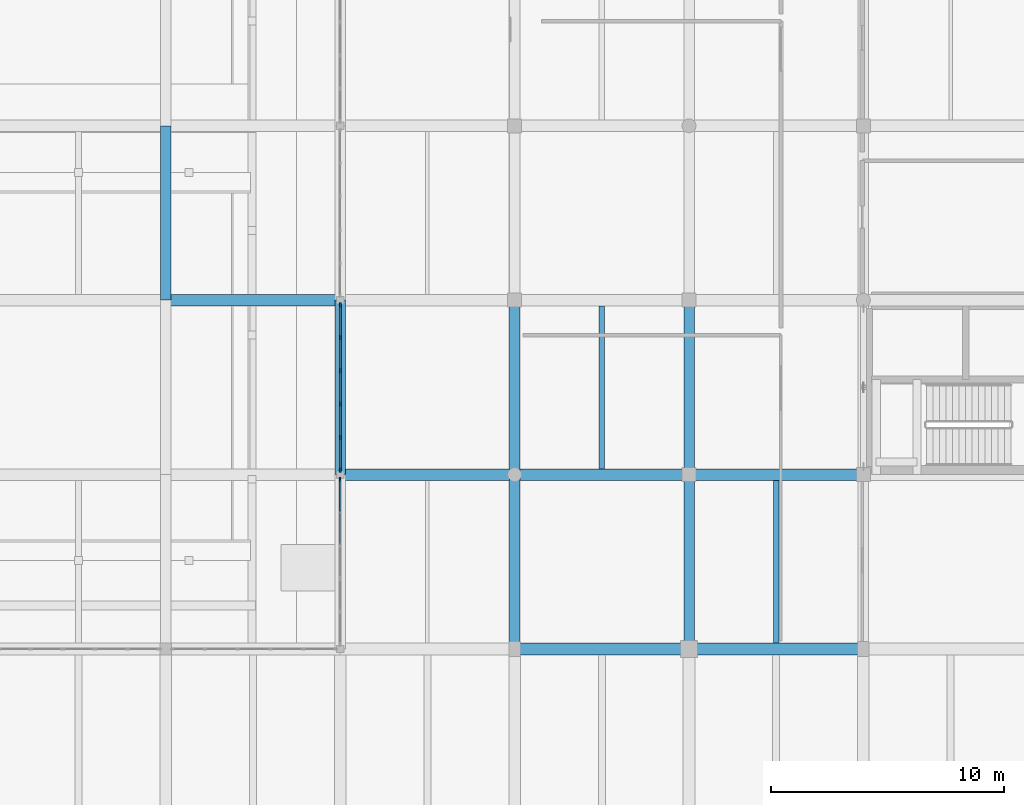
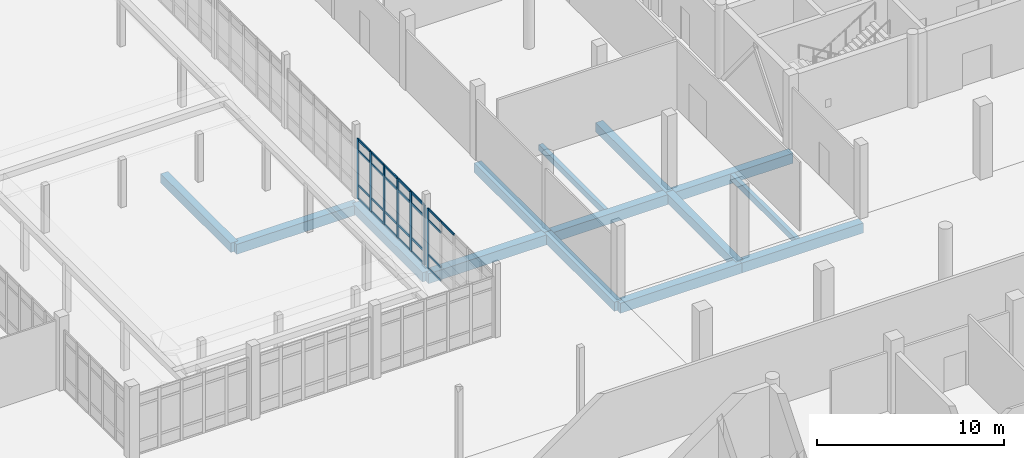
# One storey, part 58 of 125: 32 members, 14 beams, 2 elements without a shape of their own.
"""IFC4 building model written with IfcOpenShell, lengths in metres."""

from ifc_helpers import new_model, si_unit, direction, frame, origin, origin_2d, place, context, subcontext, project, spatial, rectangle, extrude, material, layer, layer_set, material_profile, profile_set, type_object, element, aggregate, save


model = new_model("IFC4")

# Units and contexts
model_context = context("Model", 3, precision=1e-05, world=origin(), true_north=direction((0.0, 1.0)))
body_context = subcontext(model_context, "Body", "Model", "MODEL_VIEW")
ifc_project = project(units=[si_unit("LENGTHUNIT", "METRE"), si_unit("AREAUNIT", "SQUARE_METRE"), si_unit("VOLUMEUNIT", "CUBIC_METRE"), si_unit("PLANEANGLEUNIT", "RADIAN"), si_unit("MASSUNIT", "GRAM", prefix="KILO")], contexts=[model_context])

# Site, building, storey
site_placement = place(None, origin())
site = spatial("IfcSite", under=ifc_project, at=site_placement, CompositionType="ELEMENT")
building_placement = place(site_placement, origin())
building = spatial("IfcBuilding", under=site, at=building_placement, Name="Dalvernix Boulevard General Hospital", CompositionType="ELEMENT")
storey_placement = place(building_placement, origin())
storey = spatial("IfcBuildingStorey", under=building, at=storey_placement, Name="L00", CompositionType="ELEMENT", Elevation=0.0)

# Beams
ifc_material_1 = material(Name="Concrete C35/45", Category="concrete")
ifc_material_profile_1 = material_profile(ifc_material_1, rectangle(XDim=0.5, YDim=0.64990234375, at=origin_2d()), Name="RCB 500x650")
ifc_profile_set_1 = profile_set([ifc_material_profile_1], Name="Concrete C35/45")
beam_type_1 = type_object("IfcBeamType", Name="BM-B-02-I", PredefinedType="BEAM", material=ifc_profile_set_1)
for number, where, z_axis, x_axis, name in (
    (1, (142.5, 31.5, -0.68505859375), (1.0, 0.0, 0.0), (0.0, 1.0, 0.0), "L00 E-W girder E:20-21"),
    (2, (150.0, 31.5, -0.68505859375), (1.0, 0.0, 0.0), (0.0, 1.0, 0.0), "L00 E-W girder E:21-22"),
    (3, (135.0, 39.0, -0.68505859375), (1.0, 0.0, 0.0), (0.0, 1.0, 0.0), "L00 E-W girder F:19-20"),
    (4, (142.5, 39.0, -0.68505859375), (1.0, 0.0, 0.0), (0.0, 1.0, 0.0), "L00 E-W girder F:20-21"),
    (5, (150.0, 39.0, -0.68505859375), (1.0, 0.0, 0.0), (0.0, 1.0, 0.0), "L00 E-W girder F:21-22"),
    (6, (127.5, 46.5, -0.68505859375), (1.0, 0.0, 0.0), (0.0, 1.0, 0.0), "L00 E-W girder G:18-19"),
):
    element("IfcBeam", number, at=place(storey_placement, frame(where, z_axis=z_axis, x_axis=x_axis)), inside=storey, type_object=beam_type_1, Name=name, PredefinedType="BEAM", context=body_context, shape_type="SweptSolid", body=[
        extrude(rectangle(XDim=0.5, YDim=0.64990234375, at=origin_2d()), origin(), (0.0, 0.0, 1.0), 7.5),
    ])
ifc_material_profile_2 = material_profile(ifc_material_1, rectangle(XDim=0.449951171875, YDim=0.60009765625, at=origin_2d()), Name="RCB 450x600")
ifc_profile_set_2 = profile_set([ifc_material_profile_2], Name="Concrete C35/45")
beam_type_2 = type_object("IfcBeamType", Name="BM-B-04-I", PredefinedType="BEAM", material=ifc_profile_set_2)
for number, where, z_axis, x_axis, name in (
    (7, (127.5, 46.5, -0.659912109375), (0.0, 1.0, 0.0), (-1.0, 0.0, 0.0), "L00 N-S girder 18:G-H"),
    (8, (135.0, 39.0, -0.659912109375), (0.0, 1.0, 0.0), (-1.0, 0.0, 0.0), "L00 N-S girder 19:F-G"),
    (9, (142.5, 31.5, -0.659912109375), (0.0, 1.0, 0.0), (-1.0, 0.0, 0.0), "L00 N-S girder 20:E-F"),
    (10, (142.5, 39.0, -0.659912109375), (0.0, 1.0, 0.0), (-1.0, 0.0, 0.0), "L00 N-S girder 20:F-G"),
    (11, (150.0, 31.5, -0.659912109375), (0.0, 1.0, 0.0), (-1.0, 0.0, 0.0), "L00 N-S girder 21:E-F"),
    (12, (150.0, 39.0, -0.659912109375), (0.0, 1.0, 0.0), (-1.0, 0.0, 0.0), "L00 N-S girder 21:F-G"),
):
    element("IfcBeam", number, at=place(storey_placement, frame(where, z_axis=z_axis, x_axis=x_axis)), inside=storey, type_object=beam_type_2, Name=name, PredefinedType="BEAM", context=body_context, shape_type="SweptSolid", body=[
        extrude(rectangle(XDim=0.449951171875, YDim=0.60009765625, at=origin_2d()), origin(), (0.0, 0.0, 1.0), 7.5),
    ])
ifc_material_profile_3 = material_profile(ifc_material_1, rectangle(XDim=0.25, YDim=0.39990234375, at=origin_2d()), Name="RCB 250x400")
ifc_profile_set_3 = profile_set([ifc_material_profile_3], Name="Concrete C35/45")
beam_type_3 = type_object("IfcBeamType", Name="BM-JB-02", PredefinedType="JOIST", material=ifc_profile_set_3)
for number, where, z_axis, x_axis, name in (
    (13, (146.25, 39.25, -0.56005859375), (0.0, 1.0, 0.0), (-1.0, 0.0, 0.0), "L00 secondary floor beam 20-F"),
    (14, (153.75, 31.75, -0.56005859375), (0.0, 1.0, 0.0), (-1.0, 0.0, 0.0), "L00 secondary floor beam 21-E"),
):
    element("IfcBeam", number, at=place(storey_placement, frame(where, z_axis=z_axis, x_axis=x_axis)), inside=storey, type_object=beam_type_3, Name=name, PredefinedType="JOIST", context=body_context, shape_type="SweptSolid", body=[
        extrude(rectangle(XDim=0.25, YDim=0.39990234375, at=origin_2d()), origin(), (0.0, 0.0, 1.0), 7.0),
    ])

# Curtain wall, member
ifc_material_2 = material(Name="Thermally broken aluminium and solar-control glass curtain wall", Category="aluminium")
ifc_layer_1 = layer(ifc_material_2, 0.179931640625)
ifc_layer_set_1 = layer_set([ifc_layer_1], Name="Thermally broken aluminium and solar-control glass curtain wall (CW-CW-B-72x39)")
curtain_wall_type_1 = type_object("IfcCurtainWallType", Name="CW-CW-B-72x39", PredefinedType="USERDEFINED", material=ifc_layer_set_1)
curtain_wall_1_placement = place(storey_placement, origin())
curtain_wall_1 = element("IfcCurtainWall", 15, at=curtain_wall_1_placement, inside=storey, type_object=curtain_wall_type_1, Name="L00 curtain wall CW-B-72x39 18-4", ObjectType="GLAZED FACADE", PredefinedType="USERDEFINED")
ifc_material_3 = material(Name="Aluminium EN AW-6060", Category="aluminium")
ifc_material_profile_4 = material_profile(ifc_material_3, rectangle(XDim=0.06494140625, YDim=0.179931640625, at=origin_2d()), Name="ALU MULL 65x180")
ifc_profile_set_4 = profile_set([ifc_material_profile_4], Name="Aluminium EN AW-6060")
member_type_1 = type_object("IfcMemberType", Name="MEM-CW-M2", PredefinedType="MULLION", material=ifc_profile_set_4)
member_1_placement = place(storey_placement, frame((135.0, 38.797607421875, 0.0), z_axis=(0.0, 0.0, 1.0), x_axis=(-1.0, 0.0, 0.0)))
member_1 = element("IfcMember", 16, at=member_1_placement, type_object=member_type_1, Name="CW-B-72x39 mullion 6", PredefinedType="MULLION", context=body_context, shape_type="SweptSolid", body=[
    extrude(rectangle(XDim=0.06494140625, YDim=0.179931640625, at=origin_2d()), origin(), (0.0, 0.0, 1.0), 3.89990234375),
])

# Curtain wall, members
ifc_layer_2 = layer(ifc_material_2, 0.199951171875)
ifc_layer_set_2 = layer_set([ifc_layer_2], Name="Thermally broken aluminium and solar-control glass curtain wall (CW-CW-C-72x39)")
curtain_wall_type_2 = type_object("IfcCurtainWallType", Name="CW-CW-C-72x39", PredefinedType="USERDEFINED", material=ifc_layer_set_2)
curtain_wall_2_placement = place(storey_placement, origin())
curtain_wall_2 = element("IfcCurtainWall", 17, at=curtain_wall_2_placement, inside=storey, type_object=curtain_wall_type_2, Name="L00 curtain wall CW-C-72x39 18-5", ObjectType="GLAZED FACADE", PredefinedType="USERDEFINED")
ifc_material_profile_5 = material_profile(ifc_material_3, rectangle(XDim=0.070068359375, YDim=0.199951171875, at=origin_2d()), Name="ALU MULL 70x200")
ifc_profile_set_5 = profile_set([ifc_material_profile_5], Name="Aluminium EN AW-6060")
member_type_2 = type_object("IfcMemberType", Name="MEM-CW-M3", PredefinedType="MULLION", material=ifc_profile_set_5)
member_2_placement = place(storey_placement, frame((135.0, 39.205078125, 0.0), z_axis=(0.0, 0.0, 1.0), x_axis=(-1.0, 0.0, 0.0)))
member_2 = element("IfcMember", 18, at=member_2_placement, type_object=member_type_2, Name="CW-C-72x39 mullion 1", PredefinedType="MULLION", context=body_context, shape_type="SweptSolid", body=[
    extrude(rectangle(XDim=0.070068359375, YDim=0.199951171875, at=origin_2d()), origin(), (0.0, 0.0, 1.0), 3.89990234375),
])
member_3_placement = place(storey_placement, frame((135.0, 40.60205078125, 0.0), z_axis=(0.0, 0.0, 1.0), x_axis=(-1.0, 0.0, 0.0)))
member_3 = element("IfcMember", 19, at=member_3_placement, type_object=member_type_2, Name="CW-C-72x39 mullion 2", PredefinedType="MULLION", context=body_context, shape_type="SweptSolid", body=[
    extrude(rectangle(XDim=0.070068359375, YDim=0.199951171875, at=origin_2d()), origin(), (0.0, 0.0, 1.0), 3.89990234375),
])
member_4_placement = place(storey_placement, frame((135.0, 42.033935546875, 0.0), z_axis=(0.0, 0.0, 1.0), x_axis=(-1.0, 0.0, 0.0)))
member_4 = element("IfcMember", 20, at=member_4_placement, type_object=member_type_2, Name="CW-C-72x39 mullion 3", PredefinedType="MULLION", context=body_context, shape_type="SweptSolid", body=[
    extrude(rectangle(XDim=0.070068359375, YDim=0.199951171875, at=origin_2d()), origin(), (0.0, 0.0, 1.0), 3.89990234375),
])
member_5_placement = place(storey_placement, frame((135.0, 43.466064453125, 0.0), z_axis=(0.0, 0.0, 1.0), x_axis=(-1.0, 0.0, 0.0)))
member_5 = element("IfcMember", 21, at=member_5_placement, type_object=member_type_2, Name="CW-C-72x39 mullion 4", PredefinedType="MULLION", context=body_context, shape_type="SweptSolid", body=[
    extrude(rectangle(XDim=0.070068359375, YDim=0.199951171875, at=origin_2d()), origin(), (0.0, 0.0, 1.0), 3.89990234375),
])
member_6_placement = place(storey_placement, frame((135.0, 44.89794921875, 0.0), z_axis=(0.0, 0.0, 1.0), x_axis=(-1.0, 0.0, 0.0)))
member_6 = element("IfcMember", 22, at=member_6_placement, type_object=member_type_2, Name="CW-C-72x39 mullion 5", PredefinedType="MULLION", context=body_context, shape_type="SweptSolid", body=[
    extrude(rectangle(XDim=0.070068359375, YDim=0.199951171875, at=origin_2d()), origin(), (0.0, 0.0, 1.0), 3.89990234375),
])
member_7_placement = place(storey_placement, frame((135.0, 46.294921875, 0.0), z_axis=(0.0, 0.0, 1.0), x_axis=(-1.0, 0.0, 0.0)))
member_7 = element("IfcMember", 23, at=member_7_placement, type_object=member_type_2, Name="CW-C-72x39 mullion 6", PredefinedType="MULLION", context=body_context, shape_type="SweptSolid", body=[
    extrude(rectangle(XDim=0.070068359375, YDim=0.199951171875, at=origin_2d()), origin(), (0.0, 0.0, 1.0), 3.89990234375),
])

# Member
ifc_material_profile_6 = material_profile(ifc_material_3, rectangle(XDim=0.06494140625, YDim=0.139892578125, at=origin_2d()), Name="ALU TRAN 65x140")
ifc_profile_set_6 = profile_set([ifc_material_profile_6], Name="Aluminium EN AW-6060")
member_type_3 = type_object("IfcMemberType", Name="MEM-CW-T2", PredefinedType="USERDEFINED", material=ifc_profile_set_6)
member_8_placement = place(storey_placement, frame((135.0, 35.99853515625, 3.867431640625), z_axis=(0.0, 1.0, 0.0), x_axis=(-1.0, 0.0, 0.0)))
member_8 = element("IfcMember", 24, at=member_8_placement, type_object=member_type_3, Name="CW-B-72x39 transom 4.4", ObjectType="TRANSOM", PredefinedType="USERDEFINED", context=body_context, shape_type="SweptSolid", body=[
    extrude(rectangle(XDim=0.06494140625, YDim=0.139892578125, at=origin_2d()), origin(), (0.0, 0.0, 1.0), 1.366943359375),
])

member_9_placement = place(storey_placement, frame((135.0, 37.430419921875, 0.032470703125), z_axis=(0.0, 1.0, 0.0), x_axis=(-1.0, 0.0, 0.0)))
member_9 = element("IfcMember", 25, at=member_9_placement, type_object=member_type_3, Name="CW-B-72x39 transom 5.1", ObjectType="TRANSOM", PredefinedType="USERDEFINED", context=body_context, shape_type="SweptSolid", body=[
    extrude(rectangle(XDim=0.06494140625, YDim=0.139892578125, at=origin_2d()), origin(), (0.0, 0.0, 1.0), 1.33447265625),
])

member_10_placement = place(storey_placement, frame((135.0, 37.430419921875, 0.89990234375), z_axis=(0.0, 1.0, 0.0), x_axis=(-1.0, 0.0, 0.0)))
member_10 = element("IfcMember", 26, at=member_10_placement, type_object=member_type_3, Name="CW-B-72x39 transom 5.2", ObjectType="TRANSOM", PredefinedType="USERDEFINED", context=body_context, shape_type="SweptSolid", body=[
    extrude(rectangle(XDim=0.06494140625, YDim=0.139892578125, at=origin_2d()), origin(), (0.0, 0.0, 1.0), 1.33447265625),
])

member_11_placement = place(storey_placement, frame((135.0, 37.430419921875, 3.14990234375), z_axis=(0.0, 1.0, 0.0), x_axis=(-1.0, 0.0, 0.0)))
member_11 = element("IfcMember", 27, at=member_11_placement, type_object=member_type_3, Name="CW-B-72x39 transom 5.3", ObjectType="TRANSOM", PredefinedType="USERDEFINED", context=body_context, shape_type="SweptSolid", body=[
    extrude(rectangle(XDim=0.06494140625, YDim=0.139892578125, at=origin_2d()), origin(), (0.0, 0.0, 1.0), 1.33447265625),
])

member_12_placement = place(storey_placement, frame((135.0, 37.430419921875, 3.867431640625), z_axis=(0.0, 1.0, 0.0), x_axis=(-1.0, 0.0, 0.0)))
member_12 = element("IfcMember", 28, at=member_12_placement, type_object=member_type_3, Name="CW-B-72x39 transom 5.4", ObjectType="TRANSOM", PredefinedType="USERDEFINED", context=body_context, shape_type="SweptSolid", body=[
    extrude(rectangle(XDim=0.06494140625, YDim=0.139892578125, at=origin_2d()), origin(), (0.0, 0.0, 1.0), 1.33447265625),
])

aggregate(curtain_wall_1, [member_1, member_8, member_9, member_10, member_11, member_12])

ifc_material_profile_7 = material_profile(ifc_material_3, rectangle(XDim=0.070068359375, YDim=0.14990234375, at=origin_2d()), Name="ALU TRAN 70x150")
ifc_profile_set_7 = profile_set([ifc_material_profile_7], Name="Aluminium EN AW-6060")
member_type_4 = type_object("IfcMemberType", Name="MEM-CW-T3", PredefinedType="USERDEFINED", material=ifc_profile_set_7)
member_13_placement = place(storey_placement, frame((135.0, 39.239990234375, 0.034912109375), z_axis=(0.0, 1.0, 0.0), x_axis=(-1.0, 0.0, 0.0)))
member_13 = element("IfcMember", 29, at=member_13_placement, type_object=member_type_4, Name="CW-C-72x39 transom 1.1", ObjectType="TRANSOM", PredefinedType="USERDEFINED", context=body_context, shape_type="SweptSolid", body=[
    extrude(rectangle(XDim=0.070068359375, YDim=0.14990234375, at=origin_2d()), origin(), (0.0, 0.0, 1.0), 1.326904296875),
])

member_14_placement = place(storey_placement, frame((135.0, 39.239990234375, 0.89990234375), z_axis=(0.0, 1.0, 0.0), x_axis=(-1.0, 0.0, 0.0)))
member_14 = element("IfcMember", 30, at=member_14_placement, type_object=member_type_4, Name="CW-C-72x39 transom 1.2", ObjectType="TRANSOM", PredefinedType="USERDEFINED", context=body_context, shape_type="SweptSolid", body=[
    extrude(rectangle(XDim=0.070068359375, YDim=0.14990234375, at=origin_2d()), origin(), (0.0, 0.0, 1.0), 1.326904296875),
])

member_15_placement = place(storey_placement, frame((135.0, 39.239990234375, 3.14990234375), z_axis=(0.0, 1.0, 0.0), x_axis=(-1.0, 0.0, 0.0)))
member_15 = element("IfcMember", 31, at=member_15_placement, type_object=member_type_4, Name="CW-C-72x39 transom 1.3", ObjectType="TRANSOM", PredefinedType="USERDEFINED", context=body_context, shape_type="SweptSolid", body=[
    extrude(rectangle(XDim=0.070068359375, YDim=0.14990234375, at=origin_2d()), origin(), (0.0, 0.0, 1.0), 1.326904296875),
])

member_16_placement = place(storey_placement, frame((135.0, 39.239990234375, 3.864990234375), z_axis=(0.0, 1.0, 0.0), x_axis=(-1.0, 0.0, 0.0)))
member_16 = element("IfcMember", 32, at=member_16_placement, type_object=member_type_4, Name="CW-C-72x39 transom 1.4", ObjectType="TRANSOM", PredefinedType="USERDEFINED", context=body_context, shape_type="SweptSolid", body=[
    extrude(rectangle(XDim=0.070068359375, YDim=0.14990234375, at=origin_2d()), origin(), (0.0, 0.0, 1.0), 1.326904296875),
])

member_17_placement = place(storey_placement, frame((135.0, 40.636962890625, 0.034912109375), z_axis=(0.0, 1.0, 0.0), x_axis=(-1.0, 0.0, 0.0)))
member_17 = element("IfcMember", 33, at=member_17_placement, type_object=member_type_4, Name="CW-C-72x39 transom 2.1", ObjectType="TRANSOM", PredefinedType="USERDEFINED", context=body_context, shape_type="SweptSolid", body=[
    extrude(rectangle(XDim=0.070068359375, YDim=0.14990234375, at=origin_2d()), origin(), (0.0, 0.0, 1.0), 1.362060546875),
])

member_18_placement = place(storey_placement, frame((135.0, 40.636962890625, 0.89990234375), z_axis=(0.0, 1.0, 0.0), x_axis=(-1.0, 0.0, 0.0)))
member_18 = element("IfcMember", 34, at=member_18_placement, type_object=member_type_4, Name="CW-C-72x39 transom 2.2", ObjectType="TRANSOM", PredefinedType="USERDEFINED", context=body_context, shape_type="SweptSolid", body=[
    extrude(rectangle(XDim=0.070068359375, YDim=0.14990234375, at=origin_2d()), origin(), (0.0, 0.0, 1.0), 1.362060546875),
])

member_19_placement = place(storey_placement, frame((135.0, 40.636962890625, 3.14990234375), z_axis=(0.0, 1.0, 0.0), x_axis=(-1.0, 0.0, 0.0)))
member_19 = element("IfcMember", 35, at=member_19_placement, type_object=member_type_4, Name="CW-C-72x39 transom 2.3", ObjectType="TRANSOM", PredefinedType="USERDEFINED", context=body_context, shape_type="SweptSolid", body=[
    extrude(rectangle(XDim=0.070068359375, YDim=0.14990234375, at=origin_2d()), origin(), (0.0, 0.0, 1.0), 1.362060546875),
])

member_20_placement = place(storey_placement, frame((135.0, 40.636962890625, 3.864990234375), z_axis=(0.0, 1.0, 0.0), x_axis=(-1.0, 0.0, 0.0)))
member_20 = element("IfcMember", 36, at=member_20_placement, type_object=member_type_4, Name="CW-C-72x39 transom 2.4", ObjectType="TRANSOM", PredefinedType="USERDEFINED", context=body_context, shape_type="SweptSolid", body=[
    extrude(rectangle(XDim=0.070068359375, YDim=0.14990234375, at=origin_2d()), origin(), (0.0, 0.0, 1.0), 1.362060546875),
])

member_21_placement = place(storey_placement, frame((135.0, 42.069091796875, 0.034912109375), z_axis=(0.0, 1.0, 0.0), x_axis=(-1.0, 0.0, 0.0)))
member_21 = element("IfcMember", 37, at=member_21_placement, type_object=member_type_4, Name="CW-C-72x39 transom 3.1", ObjectType="TRANSOM", PredefinedType="USERDEFINED", context=body_context, shape_type="SweptSolid", body=[
    extrude(rectangle(XDim=0.070068359375, YDim=0.14990234375, at=origin_2d()), origin(), (0.0, 0.0, 1.0), 1.36181640625),
])

member_22_placement = place(storey_placement, frame((135.0, 42.069091796875, 0.89990234375), z_axis=(0.0, 1.0, 0.0), x_axis=(-1.0, 0.0, 0.0)))
member_22 = element("IfcMember", 38, at=member_22_placement, type_object=member_type_4, Name="CW-C-72x39 transom 3.2", ObjectType="TRANSOM", PredefinedType="USERDEFINED", context=body_context, shape_type="SweptSolid", body=[
    extrude(rectangle(XDim=0.070068359375, YDim=0.14990234375, at=origin_2d()), origin(), (0.0, 0.0, 1.0), 1.36181640625),
])

member_23_placement = place(storey_placement, frame((135.0, 42.069091796875, 3.14990234375), z_axis=(0.0, 1.0, 0.0), x_axis=(-1.0, 0.0, 0.0)))
member_23 = element("IfcMember", 39, at=member_23_placement, type_object=member_type_4, Name="CW-C-72x39 transom 3.3", ObjectType="TRANSOM", PredefinedType="USERDEFINED", context=body_context, shape_type="SweptSolid", body=[
    extrude(rectangle(XDim=0.070068359375, YDim=0.14990234375, at=origin_2d()), origin(), (0.0, 0.0, 1.0), 1.36181640625),
])

member_24_placement = place(storey_placement, frame((135.0, 42.069091796875, 3.864990234375), z_axis=(0.0, 1.0, 0.0), x_axis=(-1.0, 0.0, 0.0)))
member_24 = element("IfcMember", 40, at=member_24_placement, type_object=member_type_4, Name="CW-C-72x39 transom 3.4", ObjectType="TRANSOM", PredefinedType="USERDEFINED", context=body_context, shape_type="SweptSolid", body=[
    extrude(rectangle(XDim=0.070068359375, YDim=0.14990234375, at=origin_2d()), origin(), (0.0, 0.0, 1.0), 1.36181640625),
])

member_25_placement = place(storey_placement, frame((135.0, 43.5009765625, 0.034912109375), z_axis=(0.0, 1.0, 0.0), x_axis=(-1.0, 0.0, 0.0)))
member_25 = element("IfcMember", 41, at=member_25_placement, type_object=member_type_4, Name="CW-C-72x39 transom 4.1", ObjectType="TRANSOM", PredefinedType="USERDEFINED", context=body_context, shape_type="SweptSolid", body=[
    extrude(rectangle(XDim=0.070068359375, YDim=0.14990234375, at=origin_2d()), origin(), (0.0, 0.0, 1.0), 1.362060546875),
])

member_26_placement = place(storey_placement, frame((135.0, 43.5009765625, 0.89990234375), z_axis=(0.0, 1.0, 0.0), x_axis=(-1.0, 0.0, 0.0)))
member_26 = element("IfcMember", 42, at=member_26_placement, type_object=member_type_4, Name="CW-C-72x39 transom 4.2", ObjectType="TRANSOM", PredefinedType="USERDEFINED", context=body_context, shape_type="SweptSolid", body=[
    extrude(rectangle(XDim=0.070068359375, YDim=0.14990234375, at=origin_2d()), origin(), (0.0, 0.0, 1.0), 1.362060546875),
])

member_27_placement = place(storey_placement, frame((135.0, 43.5009765625, 3.14990234375), z_axis=(0.0, 1.0, 0.0), x_axis=(-1.0, 0.0, 0.0)))
member_27 = element("IfcMember", 43, at=member_27_placement, type_object=member_type_4, Name="CW-C-72x39 transom 4.3", ObjectType="TRANSOM", PredefinedType="USERDEFINED", context=body_context, shape_type="SweptSolid", body=[
    extrude(rectangle(XDim=0.070068359375, YDim=0.14990234375, at=origin_2d()), origin(), (0.0, 0.0, 1.0), 1.362060546875),
])

member_28_placement = place(storey_placement, frame((135.0, 43.5009765625, 3.864990234375), z_axis=(0.0, 1.0, 0.0), x_axis=(-1.0, 0.0, 0.0)))
member_28 = element("IfcMember", 44, at=member_28_placement, type_object=member_type_4, Name="CW-C-72x39 transom 4.4", ObjectType="TRANSOM", PredefinedType="USERDEFINED", context=body_context, shape_type="SweptSolid", body=[
    extrude(rectangle(XDim=0.070068359375, YDim=0.14990234375, at=origin_2d()), origin(), (0.0, 0.0, 1.0), 1.362060546875),
])

member_29_placement = place(storey_placement, frame((135.0, 44.93310546875, 0.034912109375), z_axis=(0.0, 1.0, 0.0), x_axis=(-1.0, 0.0, 0.0)))
member_29 = element("IfcMember", 45, at=member_29_placement, type_object=member_type_4, Name="CW-C-72x39 transom 5.1", ObjectType="TRANSOM", PredefinedType="USERDEFINED", context=body_context, shape_type="SweptSolid", body=[
    extrude(rectangle(XDim=0.070068359375, YDim=0.14990234375, at=origin_2d()), origin(), (0.0, 0.0, 1.0), 1.326904296875),
])

member_30_placement = place(storey_placement, frame((135.0, 44.93310546875, 0.89990234375), z_axis=(0.0, 1.0, 0.0), x_axis=(-1.0, 0.0, 0.0)))
member_30 = element("IfcMember", 46, at=member_30_placement, type_object=member_type_4, Name="CW-C-72x39 transom 5.2", ObjectType="TRANSOM", PredefinedType="USERDEFINED", context=body_context, shape_type="SweptSolid", body=[
    extrude(rectangle(XDim=0.070068359375, YDim=0.14990234375, at=origin_2d()), origin(), (0.0, 0.0, 1.0), 1.326904296875),
])

member_31_placement = place(storey_placement, frame((135.0, 44.93310546875, 3.14990234375), z_axis=(0.0, 1.0, 0.0), x_axis=(-1.0, 0.0, 0.0)))
member_31 = element("IfcMember", 47, at=member_31_placement, type_object=member_type_4, Name="CW-C-72x39 transom 5.3", ObjectType="TRANSOM", PredefinedType="USERDEFINED", context=body_context, shape_type="SweptSolid", body=[
    extrude(rectangle(XDim=0.070068359375, YDim=0.14990234375, at=origin_2d()), origin(), (0.0, 0.0, 1.0), 1.326904296875),
])

member_32_placement = place(storey_placement, frame((135.0, 44.93310546875, 3.864990234375), z_axis=(0.0, 1.0, 0.0), x_axis=(-1.0, 0.0, 0.0)))
member_32 = element("IfcMember", 48, at=member_32_placement, type_object=member_type_4, Name="CW-C-72x39 transom 5.4", ObjectType="TRANSOM", PredefinedType="USERDEFINED", context=body_context, shape_type="SweptSolid", body=[
    extrude(rectangle(XDim=0.070068359375, YDim=0.14990234375, at=origin_2d()), origin(), (0.0, 0.0, 1.0), 1.326904296875),
])

aggregate(curtain_wall_2, [member_2, member_3, member_4, member_5, member_6, member_7, member_13, member_14, member_15, member_16, member_17, member_18, member_19, member_20, member_21, member_22, member_23, member_24, member_25, member_26, member_27, member_28, member_29, member_30, member_31, member_32])

save(model, "model.ifc")
